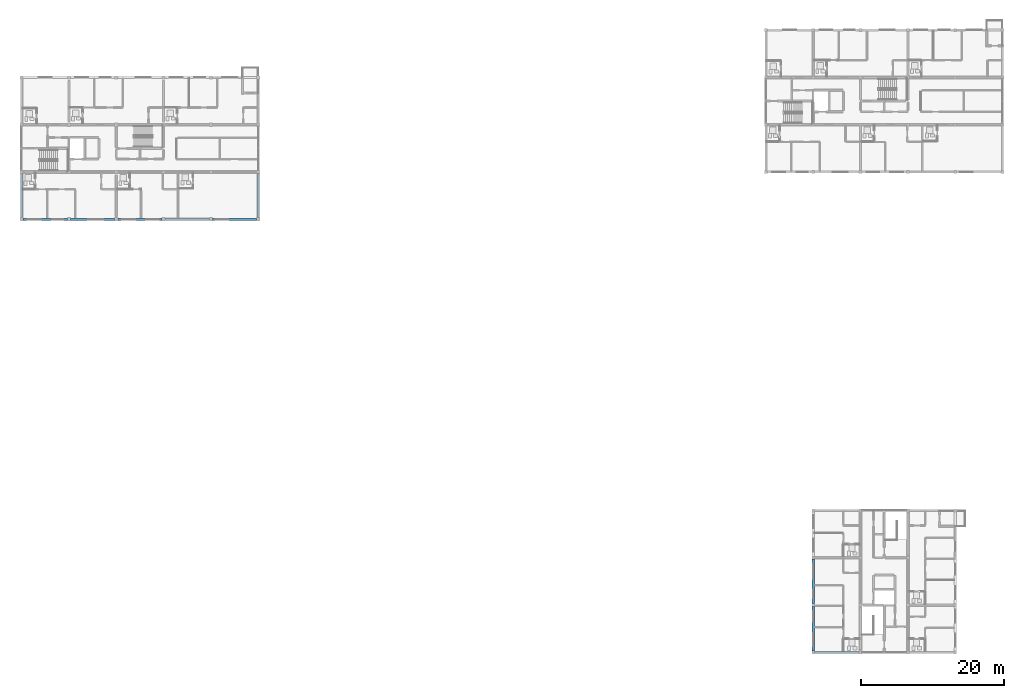
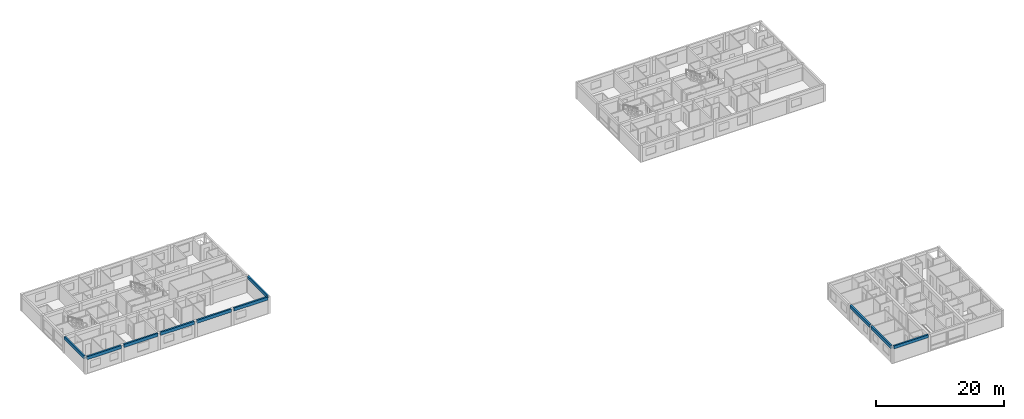
# One storey, part 4 of 34: 10 beams.
"""IFC4 building model written with IfcOpenShell, lengths in metres."""

from ifc_helpers import new_model, si_unit, direction, frame, origin, origin_2d, place, context, subcontext, project, spatial, rectangle, extrude, material, material_profile, profile_set, type_object, element, save


model = new_model("IFC4")

# Units and contexts
model_context = context("Model", 3, precision=1e-05, world=origin(), true_north=direction((0.0, 1.0)))
body_context = subcontext(model_context, "Body", "Model", "MODEL_VIEW")
ifc_project = project(units=[si_unit("LENGTHUNIT", "METRE"), si_unit("AREAUNIT", "SQUARE_METRE"), si_unit("VOLUMEUNIT", "CUBIC_METRE"), si_unit("PLANEANGLEUNIT", "RADIAN"), si_unit("MASSUNIT", "GRAM", prefix="KILO")], contexts=[model_context])

# Site, building, storey
site_placement = place(None, origin())
site = spatial("IfcSite", under=ifc_project, at=site_placement, CompositionType="ELEMENT")
building_placement = place(site_placement, origin())
building = spatial("IfcBuilding", under=site, at=building_placement, Name="Kernevlak Ridge Housing Community", CompositionType="ELEMENT")
storey_placement = place(building_placement, frame((0.0, 0.0, 40.39990234375)))
storey = spatial("IfcBuildingStorey", under=building, at=storey_placement, Name="L12", CompositionType="ELEMENT", Elevation=40.39990234375)

# Beams
ifc_material = material(Name="Concrete C35/45", Category="concrete")
ifc_material_profile_1 = material_profile(ifc_material, rectangle(XDim=0.300048828125, YDim=0.550048828125, at=origin_2d()), Name="RC 300x550")
ifc_profile_set_1 = profile_set([ifc_material_profile_1], Name="Concrete C35/45")
beam_type_1 = type_object("IfcBeamType", Name="SP-01", PredefinedType="SPANDREL", material=ifc_profile_set_1)
for number, where, z_axis, x_axis, name in (
    (1, (15.60009765625, 76.22509765625, 2.925048828125), (0.0, 1.0, 0.0), (-1.0, 0.0, 0.0), "Beam SP-01 L12 389"),
    (2, (48.60009765625, 76.22509765625, 2.925048828125), (0.0, 1.0, 0.0), (-1.0, 0.0, 0.0), "Beam SP-01 L12 392"),
):
    element("IfcBeam", number, at=place(storey_placement, frame(where, z_axis=z_axis, x_axis=x_axis)), inside=storey, type_object=beam_type_1, Name=name, PredefinedType="SPANDREL", context=body_context, shape_type="SweptSolid", body=[
        extrude(rectangle(XDim=0.300048828125, YDim=0.550048828125, at=origin_2d()), origin(), (0.0, 0.0, 1.0), 6.14990234375),
    ])
beam_1_placement = place(storey_placement, frame((126.199951171875, 15.60009765625, 2.925048828125), z_axis=(1.0, 0.0, 0.0), x_axis=(0.0, 1.0, 0.0)))
element("IfcBeam", 3, at=beam_1_placement, inside=storey, type_object=beam_type_1, Name="Beam SP-01 L12 1273", PredefinedType="SPANDREL", context=body_context, shape_type="SweptSolid", body=[
    extrude(rectangle(XDim=0.300048828125, YDim=0.550048828125, at=origin_2d()), origin(), (0.0, 0.0, 1.0), 6.199951171875),
])
ifc_material_profile_2 = material_profile(ifc_material, rectangle(XDim=0.300048828125, YDim=0.60009765625, at=origin_2d()), Name="RC 300x600")
ifc_profile_set_2 = profile_set([ifc_material_profile_2], Name="Concrete C35/45")
beam_type_2 = type_object("IfcBeamType", Name="SP-02", PredefinedType="SPANDREL", material=ifc_profile_set_2)
beam_2_placement = place(storey_placement, frame((15.824951171875, 76.0, 2.900146484375), z_axis=(1.0, 0.0, 0.0), x_axis=(0.0, 1.0, 0.0)))
element("IfcBeam", 4, at=beam_2_placement, inside=storey, type_object=beam_type_2, Name="Beam SP-02 L12 369", PredefinedType="SPANDREL", context=body_context, shape_type="SweptSolid", body=[
    extrude(rectangle(XDim=0.300048828125, YDim=0.60009765625, at=origin_2d()), origin(), (0.0, 0.0, 1.0), 6.150146484375),
])
beam_3_placement = place(storey_placement, frame((22.425048828125, 76.0, 2.900146484375), z_axis=(1.0, 0.0, 0.0), x_axis=(0.0, 1.0, 0.0)))
element("IfcBeam", 5, at=beam_3_placement, inside=storey, type_object=beam_type_2, Name="Beam SP-02 L12 370", PredefinedType="SPANDREL", context=body_context, shape_type="SweptSolid", body=[
    extrude(rectangle(XDim=0.300048828125, YDim=0.60009765625, at=origin_2d()), origin(), (0.0, 0.0, 1.0), 6.14990234375),
])
beam_4_placement = place(storey_placement, frame((29.02490234375, 76.0, 2.900146484375), z_axis=(1.0, 0.0, 0.0), x_axis=(0.0, 1.0, 0.0)))
element("IfcBeam", 6, at=beam_4_placement, inside=storey, type_object=beam_type_2, Name="Beam SP-02 L12 371", PredefinedType="SPANDREL", context=body_context, shape_type="SweptSolid", body=[
    extrude(rectangle(XDim=0.300048828125, YDim=0.60009765625, at=origin_2d()), origin(), (0.0, 0.0, 1.0), 6.150146484375),
])
for number, where, z_axis, x_axis, name in (
    (7, (35.625, 76.0, 2.900146484375), (1.0, 0.0, 0.0), (0.0, 1.0, 0.0), "Beam SP-02 L12 372"),
    (8, (42.22509765625, 76.0, 2.900146484375), (1.0, 0.0, 0.0), (0.0, 1.0, 0.0), "Beam SP-02 L12 373"),
):
    element("IfcBeam", number, at=place(storey_placement, frame(where, z_axis=z_axis, x_axis=x_axis)), inside=storey, type_object=beam_type_2, Name=name, PredefinedType="SPANDREL", context=body_context, shape_type="SweptSolid", body=[
        extrude(rectangle(XDim=0.300048828125, YDim=0.60009765625, at=origin_2d()), origin(), (0.0, 0.0, 1.0), 6.14990234375),
    ])
beam_5_placement = place(storey_placement, frame((126.0, 15.800048828125, 2.900146484375), z_axis=(0.0, 1.0, 0.0), x_axis=(-1.0, 0.0, 0.0)))
element("IfcBeam", 9, at=beam_5_placement, inside=storey, type_object=beam_type_2, Name="Beam SP-02 L12 1261", PredefinedType="SPANDREL", context=body_context, shape_type="SweptSolid", body=[
    extrude(rectangle(XDim=0.300048828125, YDim=0.60009765625, at=origin_2d()), origin(), (0.0, 0.0, 1.0), 6.199951171875),
])
beam_6_placement = place(storey_placement, frame((126.0, 22.39990234375, 2.900146484375), z_axis=(0.0, 1.0, 0.0), x_axis=(-1.0, 0.0, 0.0)))
element("IfcBeam", 10, at=beam_6_placement, inside=storey, type_object=beam_type_2, Name="Beam SP-02 L12 1262", PredefinedType="SPANDREL", context=body_context, shape_type="SweptSolid", body=[
    extrude(rectangle(XDim=0.300048828125, YDim=0.60009765625, at=origin_2d()), origin(), (0.0, 0.0, 1.0), 6.2001953125),
])

save(model, "model.ifc")
